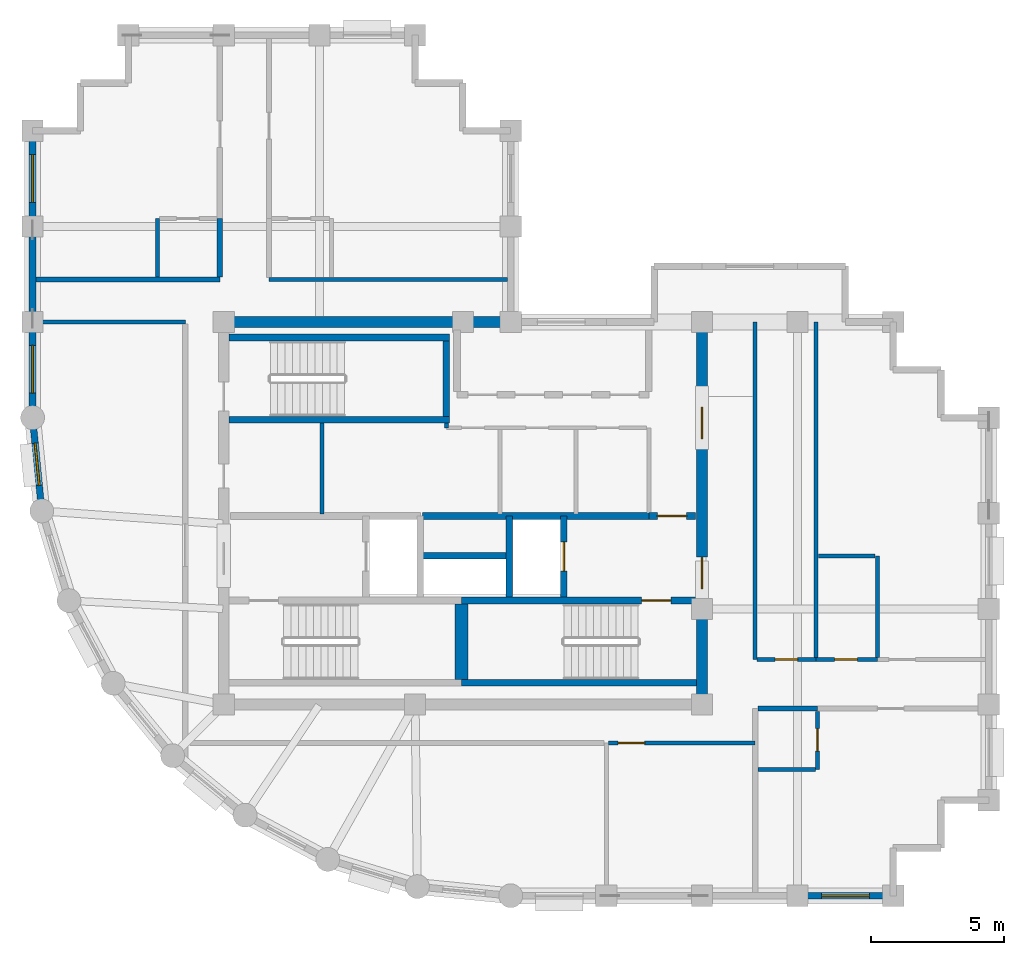
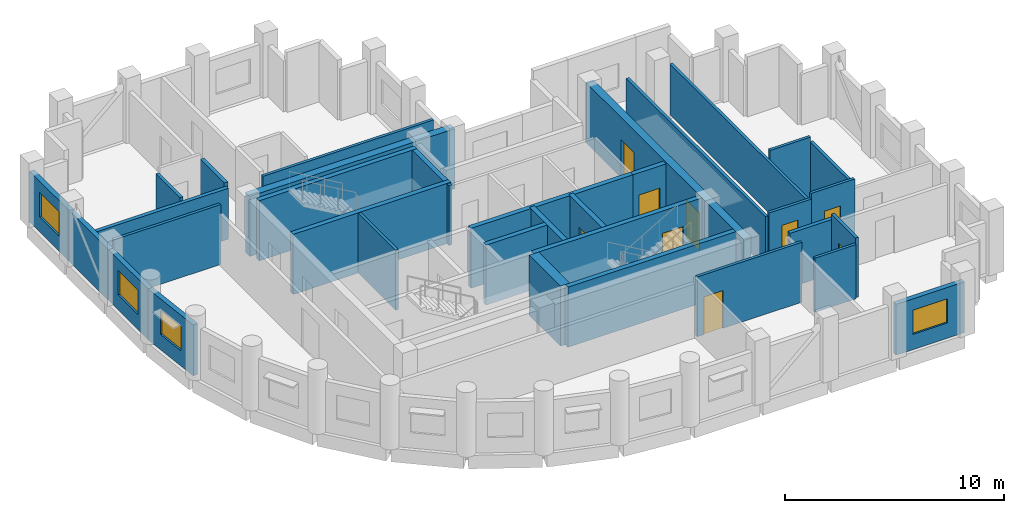
# One storey, part 3 of 7: 35 walls, 9 doors, 4 windows, 13 openings.
"""IFC4 building model written with IfcOpenShell, lengths in metres."""

from ifc_helpers import new_model, si_unit, direction, frame, frame_2d, origin, place, context, subcontext, project, spatial, rectangle, extrude, material, layer, layer_set, type_object, element, fill, save


model = new_model("IFC4")

# Units and contexts
model_context = context("Model", 3, precision=1e-05, world=origin(), true_north=direction((0.0, 1.0)))
body_context = subcontext(model_context, "Body", "Model", "MODEL_VIEW")
ifc_project = project(units=[si_unit("LENGTHUNIT", "METRE"), si_unit("AREAUNIT", "SQUARE_METRE"), si_unit("VOLUMEUNIT", "CUBIC_METRE"), si_unit("PLANEANGLEUNIT", "RADIAN"), si_unit("MASSUNIT", "GRAM", prefix="KILO")], contexts=[model_context])

# Site, building, storey
site_placement = place(None, origin())
site = spatial("IfcSite", under=ifc_project, at=site_placement, CompositionType="ELEMENT")
building_placement = place(site_placement, origin())
building = spatial("IfcBuilding", under=site, at=building_placement, Name="Solnavia Interchange Tower", CompositionType="ELEMENT")
storey_placement = place(building_placement, frame((0.0, 0.0, 281.0)))
storey = spatial("IfcBuildingStorey", under=building, at=storey_placement, Name="L71", CompositionType="ELEMENT", Elevation=281.0)

# Walls
ifc_material_1 = material(Name="Gypsum Acoustic Twin-Stud & Mineral Wool", Category="gypsum")
ifc_layer_1 = layer(ifc_material_1, 0.199951171875)
ifc_layer_set_1 = layer_set([ifc_layer_1], Name="Gypsum Acoustic Twin-Stud & Mineral Wool")
wall_type_1 = type_object("IfcWallType", Name="Wall-ApartmentParty-200", PredefinedType="PARTITIONING", material=ifc_layer_set_1)
wall_1_placement = place(storey_placement, frame((34.50390625, 10.64990234375, 0.0), z_axis=(0.0, 0.0, 1.0), x_axis=(1.0, 0.0, 0.0)))
element("IfcWall", 1, at=wall_1_placement, inside=storey, type_object=wall_type_1, Name="PTW-L71-13 Interior partition wall", PredefinedType="PARTITIONING", context=body_context, shape_type="SweptSolid", body=[
    extrude(rectangle(XDim=2.24609375, YDim=0.199951171875, at=frame_2d((1.123046875, 0.0))), origin(), (0.0, 0.0, 1.0), 3.02001953125),
])
wall_2_placement = place(storey_placement, frame((7.3291015625, 26.800048828125, 0.0), z_axis=(0.0, 0.0, 1.0), x_axis=(1.0, 0.0, 0.0)))
element("IfcWall", 2, at=wall_2_placement, inside=storey, type_object=wall_type_1, Name="PTW-L71-18 Interior partition wall", PredefinedType="PARTITIONING", context=body_context, shape_type="SweptSolid", body=[
    extrude(rectangle(XDim=6.9208984375, YDim=0.199951171875, at=frame_2d((3.46044921875, 0.0))), origin(), (0.0, 0.0, 1.0), 2.830078125),
])
wall_3_placement = place(storey_placement, frame((14.25, 26.904052734375, 0.0), z_axis=(0.0, 0.0, 1.0), x_axis=(0.0, 1.0, 0.0)))
element("IfcWall", 3, at=wall_3_placement, inside=storey, type_object=wall_type_1, Name="PTW-L71-19 Interior partition wall", PredefinedType="PARTITIONING", context=body_context, shape_type="SweptSolid", body=[
    extrude(rectangle(XDim=2.196044921875, YDim=0.199951171875, at=frame_2d((1.09814453125, 0.0))), origin(), (0.0, 0.0, 1.0), 3.030029296875),
])

# Wall, opening, window
ifc_material_2 = material(Name="Concrete C40/50", Category="concrete")
ifc_layer_2 = layer(ifc_material_2, 0.25)
ifc_layer_set_2 = layer_set([ifc_layer_2], Name="Concrete C40/50")
wall_type_2 = type_object("IfcWallType", Name="Wall-ExtSpandrel-250", PredefinedType="STANDARD", material=ifc_layer_set_2)
wall_4_placement = place(storey_placement, frame((39.60009765625, 3.60009765625, 0.0), z_axis=(0.0, 0.0, 1.0), x_axis=(-1.0, 0.0, 0.0)))
wall_4 = element("IfcWall", 4, at=wall_4_placement, inside=storey, type_object=wall_type_2, Name="EXW-L71-04 Exterior precast spandrel wall", PredefinedType="STANDARD", context=body_context, shape_type="SweptSolid", body=[
    extrude(rectangle(XDim=3.60009765625, YDim=0.25, at=frame_2d((1.800048828125, 0.0))), origin(), (0.0, 0.0, 1.0), 2.830078125),
])
opening_1_placement = place(wall_4_placement, frame((0.89990234375, 0.0, 0.85009765625)))
opening_1 = element("IfcOpeningElement", 5, at=opening_1_placement, cuts=wall_4, Name="Opening WIN-02", PredefinedType="OPENING", context=body_context, shape_type="SweptSolid", body=[
    extrude(rectangle(XDim=1.800048828125, YDim=1.35009765625, at=frame_2d((0.89990234375, 0.675048828125))), frame((0.0, 0.135009765625, 0.0), z_axis=(0.0, -1.0, 0.0), x_axis=(1.0, 0.0, 0.0)), (0.0, 0.0, 1.0), 0.27001953125),
])
ifc_material_3 = material(Name="Thermal-Break Aluminium & Low-E Glass", Category="aluminium")
window_type_1 = type_object("IfcWindowType", Name="Window-Ribbon-1800x1350", PartitioningType="SINGLE_PANEL", PredefinedType="WINDOW", material=ifc_material_3)
window_1_placement = place(opening_1_placement, origin())
window_1 = element("IfcWindow", 6, at=window_1_placement, inside=storey, type_object=window_type_1, Name="WIN-L71-04 Facade ribbon window", OverallHeight=1.35009765625, OverallWidth=1.800048828125, PartitioningType="SINGLE_PANEL", PredefinedType="WINDOW", context=body_context, shape_type="SweptSolid", body=[
    extrude(rectangle(XDim=1.800048828125, YDim=1.35009765625, at=frame_2d((0.89990234375, 0.675048828125))), frame((0.0, 0.030029296875, 0.0), z_axis=(0.0, -1.0, 0.0), x_axis=(1.0, 0.0, 0.0)), (0.0, 0.0, 1.0), 0.06005859375),
])
fill(opening_1, window_1)

wall_5_placement = place(storey_placement, frame((7.199951171875, 28.800048828125, 0.0), z_axis=(0.0, 0.0, 1.0), x_axis=(0.0, 1.0, 0.0)))
wall_5 = element("IfcWall", 7, at=wall_5_placement, inside=storey, type_object=wall_type_2, Name="EXW-L71-38 Exterior precast spandrel wall", PredefinedType="STANDARD", context=body_context, shape_type="SweptSolid", body=[
    extrude(rectangle(XDim=3.599853515625, YDim=0.25, at=frame_2d((1.7998046875, 0.0))), origin(), (0.0, 0.0, 1.0), 2.830078125),
])
opening_2_placement = place(wall_5_placement, frame((0.89990234375, 0.0, 0.85009765625)))
opening_2 = element("IfcOpeningElement", 8, at=opening_2_placement, cuts=wall_5, Name="Opening WIN-02", PredefinedType="OPENING", context=body_context, shape_type="SweptSolid", body=[
    extrude(rectangle(XDim=1.800048828125, YDim=1.35009765625, at=frame_2d((0.89990234375, 0.675048828125))), frame((0.0, 0.135009765625, 0.0), z_axis=(0.0, -1.0, 0.0), x_axis=(1.0, 0.0, 0.0)), (0.0, 0.0, 1.0), 0.27001953125),
])
window_2_placement = place(opening_2_placement, origin())
window_2 = element("IfcWindow", 9, at=window_2_placement, inside=storey, type_object=window_type_1, Name="WIN-L71-38 Facade ribbon window", OverallHeight=1.35009765625, OverallWidth=1.800048828125, PartitioningType="SINGLE_PANEL", PredefinedType="WINDOW", context=body_context, shape_type="SweptSolid", body=[
    extrude(rectangle(XDim=1.800048828125, YDim=1.35009765625, at=frame_2d((0.89990234375, 0.675048828125))), frame((0.0, 0.030029296875, 0.0), z_axis=(0.0, -1.0, 0.0), x_axis=(1.0, 0.0, 0.0)), (0.0, 0.0, 1.0), 0.06005859375),
])
fill(opening_2, window_2)

# Wall
wall_6_placement = place(storey_placement, frame((7.199951171875, 25.199951171875, 0.0), z_axis=(0.0, 0.0, 1.0), x_axis=(0.0, 1.0, 0.0)))
element("IfcWall", 10, at=wall_6_placement, inside=storey, type_object=wall_type_2, Name="EXW-L71-39 Exterior precast spandrel wall", PredefinedType="STANDARD", context=body_context, shape_type="SweptSolid", body=[
    extrude(rectangle(XDim=3.60009765625, YDim=0.25, at=frame_2d((1.800048828125, 0.0))), origin(), (0.0, 0.0, 1.0), 2.830078125),
])

# Wall, opening, window
wall_7_placement = place(storey_placement, frame((7.199951171875, 21.60009765625, 0.0), z_axis=(0.0, 0.0, 1.0), x_axis=(0.0, 1.0, 0.0)))
wall_7 = element("IfcWall", 11, at=wall_7_placement, inside=storey, type_object=wall_type_2, Name="EXW-L71-40 Exterior precast spandrel wall", PredefinedType="STANDARD", context=body_context, shape_type="SweptSolid", body=[
    extrude(rectangle(XDim=3.599853515625, YDim=0.25, at=frame_2d((1.7998046875, 0.0))), origin(), (0.0, 0.0, 1.0), 2.830078125),
])
opening_3_placement = place(wall_7_placement, frame((0.925048828125, 0.0, 0.85009765625)))
opening_3 = element("IfcOpeningElement", 12, at=opening_3_placement, cuts=wall_7, Name="Opening WIN-02", PredefinedType="OPENING", context=body_context, shape_type="SweptSolid", body=[
    extrude(rectangle(XDim=1.800048828125, YDim=1.35009765625, at=frame_2d((0.89990234375, 0.675048828125))), frame((0.0, 0.135009765625, 0.0), z_axis=(0.0, -1.0, 0.0), x_axis=(1.0, 0.0, 0.0)), (0.0, 0.0, 1.0), 0.27001953125),
])
window_3_placement = place(opening_3_placement, origin())
window_3 = element("IfcWindow", 13, at=window_3_placement, inside=storey, type_object=window_type_1, Name="WIN-L71-40 Facade ribbon window", OverallHeight=1.35009765625, OverallWidth=1.800048828125, PartitioningType="SINGLE_PANEL", PredefinedType="WINDOW", context=body_context, shape_type="SweptSolid", body=[
    extrude(rectangle(XDim=1.800048828125, YDim=1.35009765625, at=frame_2d((0.89990234375, 0.675048828125))), frame((0.0, 0.030029296875, 0.0), z_axis=(0.0, -1.0, 0.0), x_axis=(1.0, 0.0, 0.0)), (0.0, 0.0, 1.0), 0.06005859375),
])
fill(opening_3, window_3)

wall_8_placement = place(storey_placement, frame((7.5458984375, 18.087890625, 0.0), z_axis=(0.0, 0.0, 1.0), x_axis=(-0.09802417461, 0.995184033831, 0.0)))
wall_8 = element("IfcWall", 14, at=wall_8_placement, inside=storey, type_object=wall_type_2, Name="EXW-L71-41 Exterior precast spandrel wall", PredefinedType="STANDARD", context=body_context, shape_type="SweptSolid", body=[
    extrude(rectangle(XDim=3.529296875, YDim=0.25, at=frame_2d((1.7646484375, 0.0))), origin(), (0.0, 0.0, 1.0), 2.830078125),
])
opening_4_placement = place(wall_8_placement, frame((0.965087890625, 0.0, 0.85009765625)))
opening_4 = element("IfcOpeningElement", 15, at=opening_4_placement, cuts=wall_8, Name="Opening WIN-04", PredefinedType="OPENING", context=body_context, shape_type="SweptSolid", body=[
    extrude(rectangle(XDim=1.60009765625, YDim=1.35009765625, at=frame_2d((0.800048828125, 0.675048828125))), frame((0.0, 0.135009765625, 0.0), z_axis=(0.0, -1.0, 0.0), x_axis=(1.0, 0.0, 0.0)), (0.0, 0.0, 1.0), 0.27001953125),
])
window_type_2 = type_object("IfcWindowType", Name="Window-Drum-1600x1350", PartitioningType="SINGLE_PANEL", PredefinedType="WINDOW", material=ifc_material_3)
window_4_placement = place(opening_4_placement, origin())
window_4 = element("IfcWindow", 16, at=window_4_placement, inside=storey, type_object=window_type_2, Name="WIN-L71-41 Facade ribbon window", OverallHeight=1.35009765625, OverallWidth=1.60009765625, PartitioningType="SINGLE_PANEL", PredefinedType="WINDOW", context=body_context, shape_type="SweptSolid", body=[
    extrude(rectangle(XDim=1.60009765625, YDim=1.35009765625, at=frame_2d((0.800048828125, 0.675048828125))), frame((0.0, 0.030029296875, 0.0), z_axis=(0.0, -1.0, 0.0), x_axis=(1.0, 0.0, 0.0)), (0.0, 0.0, 1.0), 0.06005859375),
])
fill(opening_4, window_4)

# Walls
ifc_material_4 = material(Name="Gypsum Plasterboard & Steel Stud", Category="steel")
ifc_layer_3 = layer(ifc_material_4, 0.14990234375)
ifc_layer_set_3 = layer_set([ifc_layer_3], Name="Gypsum Plasterboard & Steel Stud")
wall_type_3 = type_object("IfcWallType", Name="Wall-Partition-150", PredefinedType="PARTITIONING", material=ifc_layer_set_3)
wall_9_placement = place(storey_placement, frame((22.77490234375, 21.219970703125, 0.0), z_axis=(0.0, 0.0, 1.0), x_axis=(0.0, 1.0, 0.0)))
element("IfcWall", 17, at=wall_9_placement, inside=storey, type_object=wall_type_3, Name="CSW-L71-ST-TIE Core shaft wall", PredefinedType="PARTITIONING", context=body_context, shape_type="SweptSolid", body=[
    extrude(rectangle(XDim=0.175048828125, YDim=0.14990234375, at=frame_2d((0.08740234375, 0.0))), origin(), (0.0, 0.0, 1.0), 3.3349609375),
])
wall_10_placement = place(storey_placement, frame((18.10009765625, 17.97998046875, 0.0), z_axis=(0.0, 0.0, 1.0), x_axis=(0.0, 1.0, 0.0)))
element("IfcWall", 18, at=wall_10_placement, inside=storey, type_object=wall_type_3, Name="CSW-L71-M1 Core shaft wall", PredefinedType="PARTITIONING", context=body_context, shape_type="SweptSolid", body=[
    extrude(rectangle(XDim=3.419921875, YDim=0.14990234375, at=frame_2d((1.7099609375, 0.0))), origin(), (0.0, 0.0, 1.0), 3.3349609375),
])
wall_11_placement = place(storey_placement, frame((7.3291015625, 25.199951171875, 0.0), z_axis=(0.0, 0.0, 1.0), x_axis=(1.0, 0.0, 0.0)))
element("IfcWall", 19, at=wall_11_placement, inside=storey, type_object=wall_type_3, Name="PTW-L71-07 Interior partition wall", PredefinedType="PARTITIONING", context=body_context, shape_type="SweptSolid", body=[
    extrude(rectangle(XDim=5.620849609375, YDim=0.14990234375, at=frame_2d((2.810546875, 0.0))), origin(), (0.0, 0.0, 1.0), 3.3349609375),
])

# Wall, opening, door
wall_12_placement = place(storey_placement, frame((28.87890625, 9.35009765625, 0.0), z_axis=(0.0, 0.0, 1.0), x_axis=(1.0, 0.0, 0.0)))
wall_12 = element("IfcWall", 20, at=wall_12_placement, inside=storey, type_object=wall_type_3, Name="PTW-L71-11 Interior partition wall", PredefinedType="PARTITIONING", context=body_context, shape_type="SweptSolid", body=[
    extrude(rectangle(XDim=5.52099609375, YDim=0.14990234375, at=frame_2d((2.760498046875, 0.0))), origin(), (0.0, 0.0, 1.0), 3.3349609375),
])
opening_5_placement = place(wall_12_placement, frame((0.360107421875, 0.0, 0.0)))
opening_5 = element("IfcOpeningElement", 21, at=opening_5_placement, cuts=wall_12, Name="Opening DR-07", PredefinedType="OPENING", context=body_context, shape_type="SweptSolid", body=[
    extrude(rectangle(XDim=1.0, YDim=2.10009765625, at=frame_2d((0.5, 1.050048828125))), frame((0.0, 0.0849609375, 0.0), z_axis=(0.0, -1.0, 0.0), x_axis=(1.0, 0.0, 0.0)), (0.0, 0.0, 1.0), 0.169921875),
])
ifc_material_5 = material(Name="Timber & Acoustic Glazed Office Door", Category="wood")
door_type_1 = type_object("IfcDoorType", Name="Door-Office-1000x2100", OperationType="SINGLE_SWING_RIGHT", PredefinedType="DOOR", material=ifc_material_5)
door_1_placement = place(opening_5_placement, origin())
door_1 = element("IfcDoor", 22, at=door_1_placement, inside=storey, type_object=door_type_1, Name="DR-L71-04 Interior room door", OperationType="SINGLE_SWING_LEFT", OverallHeight=2.10009765625, OverallWidth=1.0, PredefinedType="DOOR", context=body_context, shape_type="SweptSolid", body=[
    extrude(rectangle(XDim=1.0, YDim=2.10009765625, at=frame_2d((0.5, 1.050048828125))), frame((0.0, 0.02490234375, 0.0), z_axis=(0.0, -1.0, 0.0), x_axis=(1.0, 0.0, 0.0)), (0.0, 0.0, 1.0), 0.050048828125),
])
fill(opening_5, door_1)

# Walls
wall_13_placement = place(storey_placement, frame((16.10009765625, 26.800048828125, 0.0), z_axis=(0.0, 0.0, 1.0), x_axis=(1.0, 0.0, 0.0)))
element("IfcWall", 23, at=wall_13_placement, inside=storey, type_object=wall_type_3, Name="PTW-L71-23 Interior partition wall", PredefinedType="PARTITIONING", context=body_context, shape_type="SweptSolid", body=[
    extrude(rectangle(XDim=8.970947265625, YDim=0.14990234375, at=frame_2d((4.4853515625, 0.0))), origin(), (0.0, 0.0, 1.0), 2.830078125),
])
ifc_layer_4 = layer(ifc_material_2, 0.25)
ifc_layer_set_4 = layer_set([ifc_layer_4], Name="Concrete C40/50")
wall_type_4 = type_object("IfcWallType", Name="Wall-ShaftCore-250", PredefinedType="SHEAR", material=ifc_layer_set_4)
wall_14_placement = place(storey_placement, frame((23.35009765625, 11.625, 0.0), z_axis=(0.0, 0.0, 1.0), x_axis=(1.0, 0.0, 0.0)))
element("IfcWall", 24, at=wall_14_placement, inside=storey, type_object=wall_type_4, Name="SHW-L71-ST2S Core shear wall", PredefinedType="SHEAR", context=body_context, shape_type="SweptSolid", body=[
    extrude(rectangle(XDim=8.849853515625, YDim=0.25, at=frame_2d((4.4248046875, 0.0))), origin(), (0.0, 0.0, 1.0), 3.35009765625),
])

# Wall, opening, door
wall_15_placement = place(storey_placement, frame((23.35009765625, 14.715087890625, 0.0), z_axis=(0.0, 0.0, 1.0), x_axis=(1.0, 0.0, 0.0)))
wall_15 = element("IfcWall", 25, at=wall_15_placement, inside=storey, type_object=wall_type_4, Name="SHW-L71-ST2N Core shear wall", PredefinedType="SHEAR", context=body_context, shape_type="SweptSolid", body=[
    extrude(rectangle(XDim=8.849853515625, YDim=0.25, at=frame_2d((4.4248046875, 0.0))), origin(), (0.0, 0.0, 1.0), 3.35009765625),
])
opening_6_placement = place(wall_15_placement, frame((6.77490234375, 0.0, 0.0)))
opening_6 = element("IfcOpeningElement", 26, at=opening_6_placement, cuts=wall_15, Name="Opening DR-01", PredefinedType="OPENING", context=body_context, shape_type="SweptSolid", body=[
    extrude(rectangle(XDim=1.10009765625, YDim=2.10009765625, at=frame_2d((0.550048828125, 1.050048828125))), frame((0.0, 0.135009765625, 0.0), z_axis=(0.0, -1.0, 0.0), x_axis=(1.0, 0.0, 0.0)), (0.0, 0.0, 1.0), 0.27001953125),
])
ifc_material_6 = material(Name="Steel Fire-Rated Leaf & Frame", Category="steel")
door_type_2 = type_object("IfcDoorType", Name="Door-StairFire-1100x2100", OperationType="SINGLE_SWING_LEFT", PredefinedType="DOOR", material=ifc_material_6)
door_2_placement = place(opening_6_placement, origin())
door_2 = element("IfcDoor", 27, at=door_2_placement, inside=storey, type_object=door_type_2, Name="DR-L71-ST2 Core fire door", OperationType="SINGLE_SWING_LEFT", OverallHeight=2.10009765625, OverallWidth=1.10009765625, PredefinedType="DOOR", context=body_context, shape_type="SweptSolid", body=[
    extrude(rectangle(XDim=1.10009765625, YDim=2.10009765625, at=frame_2d((0.550048828125, 1.050048828125))), frame((0.0, 0.02490234375, 0.0), z_axis=(0.0, -1.0, 0.0), x_axis=(1.0, 0.0, 0.0)), (0.0, 0.0, 1.0), 0.050048828125),
])
fill(opening_6, door_2)

# Walls
for number, where, z_axis, x_axis, name in (
    (28, (14.60009765625, 21.52490234375, 0.0), (0.0, 0.0, 1.0), (1.0, 0.0, 0.0), "SHW-L71-ST3S Core shear wall"),
    (29, (14.60009765625, 24.614990234375, 0.0), (0.0, 0.0, 1.0), (1.0, 0.0, 0.0), "SHW-L71-ST3N Core shear wall"),
):
    element("IfcWall", number, at=place(storey_placement, frame(where, z_axis=z_axis, x_axis=x_axis)), inside=storey, type_object=wall_type_4, Name=name, PredefinedType="SHEAR", context=body_context, shape_type="SweptSolid", body=[
        extrude(rectangle(XDim=8.2998046875, YDim=0.25, at=frame_2d((4.14990234375, 0.0))), origin(), (0.0, 0.0, 1.0), 3.35009765625),
    ])
wall_16_placement = place(storey_placement, frame((22.77490234375, 21.64990234375, 0.0), z_axis=(0.0, 0.0, 1.0), x_axis=(0.0, 1.0, 0.0)))
element("IfcWall", 30, at=wall_16_placement, inside=storey, type_object=wall_type_4, Name="SHW-L71-ST3E Core shear wall", PredefinedType="SHEAR", context=body_context, shape_type="SweptSolid", body=[
    extrude(rectangle(XDim=2.840087890625, YDim=0.25, at=frame_2d((1.419921875, 0.0))), origin(), (0.0, 0.0, 1.0), 3.35009765625),
])
ifc_layer_5 = layer(ifc_material_2, 0.25)
ifc_layer_set_5 = layer_set([ifc_layer_5], Name="Concrete C40/50")
wall_type_5 = type_object("IfcWallType", Name="Wall-ShaftPart-250", PredefinedType="PARTITIONING", material=ifc_layer_set_5)
wall_17_placement = place(storey_placement, frame((21.8798828125, 17.89990234375, 0.0), z_axis=(0.0, 0.0, 1.0), x_axis=(1.0, 0.0, 0.0)))
element("IfcWall", 31, at=wall_17_placement, inside=storey, type_object=wall_type_5, Name="SHW-L71-FFLE-N1 Core shaft wall", PredefinedType="PARTITIONING", context=body_context, shape_type="SweptSolid", body=[
    extrude(rectangle(XDim=8.52001953125, YDim=0.25, at=frame_2d((4.260009765625, 0.0))), origin(), (0.0, 0.0, 1.0), 3.3349609375),
])

# Wall, opening, door
wall_18_placement = place(storey_placement, frame((30.39990234375, 17.89990234375, 0.0), z_axis=(0.0, 0.0, 1.0), x_axis=(1.0, 0.0, 0.0)))
wall_18 = element("IfcWall", 32, at=wall_18_placement, inside=storey, type_object=wall_type_5, Name="SHW-L71-FFLE-N2 Core shaft wall", PredefinedType="PARTITIONING", context=body_context, shape_type="SweptSolid", body=[
    extrude(rectangle(XDim=1.75, YDim=0.25, at=frame_2d((0.875, 0.0))), origin(), (0.0, 0.0, 1.0), 3.3349609375),
])
opening_7_placement = place(wall_18_placement, frame((0.320068359375, 0.0, 0.0)))
opening_7 = element("IfcOpeningElement", 33, at=opening_7_placement, cuts=wall_18, Name="Opening DR-01", PredefinedType="OPENING", context=body_context, shape_type="SweptSolid", body=[
    extrude(rectangle(XDim=1.10009765625, YDim=2.10009765625, at=frame_2d((0.550048828125, 1.050048828125))), frame((0.0, 0.135009765625, 0.0), z_axis=(0.0, -1.0, 0.0), x_axis=(1.0, 0.0, 0.0)), (0.0, 0.0, 1.0), 0.27001953125),
])
door_3_placement = place(opening_7_placement, origin())
door_3 = element("IfcDoor", 34, at=door_3_placement, inside=storey, type_object=door_type_2, Name="DR-L71-LLC Core fire door", OperationType="SINGLE_SWING_LEFT", OverallHeight=2.10009765625, OverallWidth=1.10009765625, PredefinedType="DOOR", context=body_context, shape_type="SweptSolid", body=[
    extrude(rectangle(XDim=1.10009765625, YDim=2.10009765625, at=frame_2d((0.550048828125, 1.050048828125))), frame((0.0, 0.02490234375, 0.0), z_axis=(0.0, -1.0, 0.0), x_axis=(1.0, 0.0, 0.0)), (0.0, 0.0, 1.0), 0.050048828125),
])
fill(opening_7, door_3)

# Wall
wall_19_placement = place(storey_placement, frame((25.14990234375, 14.840087890625, 0.0), z_axis=(0.0, 0.0, 1.0), x_axis=(0.0, 1.0, 0.0)))
element("IfcWall", 35, at=wall_19_placement, inside=storey, type_object=wall_type_5, Name="SHW-L71-FFL2-W Core shaft wall", PredefinedType="PARTITIONING", context=body_context, shape_type="SweptSolid", body=[
    extrude(rectangle(XDim=3.059814453125, YDim=0.25, at=frame_2d((1.52978515625, 0.0))), origin(), (0.0, 0.0, 1.0), 3.3349609375),
])

# Wall, opening, door
wall_20_placement = place(storey_placement, frame((27.199951171875, 14.840087890625, 0.0), z_axis=(0.0, 0.0, 1.0), x_axis=(0.0, 1.0, 0.0)))
wall_20 = element("IfcWall", 36, at=wall_20_placement, inside=storey, type_object=wall_type_5, Name="SHW-L71-FFL2-E Core shaft wall", PredefinedType="PARTITIONING", context=body_context, shape_type="SweptSolid", body=[
    extrude(rectangle(XDim=3.059814453125, YDim=0.25, at=frame_2d((1.52978515625, 0.0))), origin(), (0.0, 0.0, 1.0), 3.3349609375),
])
opening_8_placement = place(wall_20_placement, frame((0.97998046875, 0.0, 0.0)))
opening_8 = element("IfcOpeningElement", 37, at=opening_8_placement, cuts=wall_20, Name="Opening LD-01", PredefinedType="OPENING", context=body_context, shape_type="SweptSolid", body=[
    extrude(rectangle(XDim=1.10009765625, YDim=2.10009765625, at=frame_2d((0.550048828125, 1.050048828125))), frame((0.0, 0.135009765625, 0.0), z_axis=(0.0, -1.0, 0.0), x_axis=(1.0, 0.0, 0.0)), (0.0, 0.0, 1.0), 0.27001953125),
])
ifc_material_7 = material(Name="Brushed Stainless Steel Sliding Door", Category="steel")
door_type_3 = type_object("IfcDoorType", Name="Door-LiftLanding-1100x2100", OperationType="SLIDING_TO_LEFT", PredefinedType="DOOR", material=ifc_material_7)
door_4_placement = place(opening_8_placement, origin())
door_4 = element("IfcDoor", 38, at=door_4_placement, inside=storey, type_object=door_type_3, Name="LD-L71-FFL2 Lift landing sliding door", OperationType="SLIDING_TO_LEFT", OverallHeight=2.10009765625, OverallWidth=1.10009765625, PredefinedType="DOOR", context=body_context, shape_type="SweptSolid", body=[
    extrude(rectangle(XDim=1.10009765625, YDim=2.10009765625, at=frame_2d((0.550048828125, 1.050048828125))), frame((0.0, 0.02490234375, 0.0), z_axis=(0.0, -1.0, 0.0), x_axis=(1.0, 0.0, 0.0)), (0.0, 0.0, 1.0), 0.050048828125),
])
fill(opening_8, door_4)

# Walls
wall_21_placement = place(storey_placement, frame((21.800048828125, 16.39990234375, 0.0), z_axis=(0.0, 0.0, 1.0), x_axis=(1.0, 0.0, 0.0)))
element("IfcWall", 39, at=wall_21_placement, inside=storey, type_object=wall_type_5, Name="SHW-L71-MEP-N Core shaft wall", PredefinedType="PARTITIONING", context=body_context, shape_type="SweptSolid", body=[
    extrude(rectangle(XDim=3.349853515625, YDim=0.25, at=frame_2d((1.6748046875, 0.0))), origin(), (0.0, 0.0, 1.0), 3.3349609375),
])
ifc_material_8 = material(Name="Concrete C50/60", Category="concrete")
ifc_layer_6 = layer(ifc_material_8, 0.39990234375)
ifc_layer_set_6 = layer_set([ifc_layer_6], Name="Concrete C50/60")
wall_type_6 = type_object("IfcWallType", Name="Wall-ShearCore-400", PredefinedType="SHEAR", material=ifc_layer_set_6)
wall_22_placement = place(storey_placement, frame((14.39990234375, 25.199951171875, 0.0), z_axis=(0.0, 0.0, 1.0), x_axis=(1.0, 0.0, 0.0)))
element("IfcWall", 40, at=wall_22_placement, inside=storey, type_object=wall_type_6, Name="CRW-L71-N Core shear wall", PredefinedType="SHEAR", context=body_context, shape_type="SweptSolid", body=[
    extrude(rectangle(XDim=10.800048828125, YDim=0.39990234375, at=frame_2d((5.39990234375, 0.0))), origin(), (0.0, 0.0, 1.0), 3.35009765625),
])

# Wall, openings, doors
wall_23_placement = place(storey_placement, frame((32.39990234375, 10.800048828125, 0.0), z_axis=(0.0, 0.0, 1.0), x_axis=(0.0, 1.0, 0.0)))
wall_23 = element("IfcWall", 41, at=wall_23_placement, inside=storey, type_object=wall_type_6, Name="CRW-L71-E Core shear wall", PredefinedType="SHEAR", context=body_context, shape_type="SweptSolid", body=[
    extrude(rectangle(XDim=14.39990234375, YDim=0.39990234375, at=frame_2d((7.199951171875, 0.0))), origin(), (0.0, 0.0, 1.0), 3.35009765625),
])
opening_9_placement = place(wall_23_placement, frame((4.35009765625, 0.0, 0.0)))
opening_9 = element("IfcOpeningElement", 42, at=opening_9_placement, cuts=wall_23, Name="Opening DR-02", PredefinedType="OPENING", context=body_context, shape_type="SweptSolid", body=[
    extrude(rectangle(XDim=1.199951171875, YDim=2.10009765625, at=frame_2d((0.60009765625, 1.050048828125))), frame((0.0, 0.2099609375, 0.0), z_axis=(0.0, -1.0, 0.0), x_axis=(1.0, 0.0, 0.0)), (0.0, 0.0, 1.0), 0.419921875),
])
opening_10_placement = place(wall_23_placement, frame((10.0, 0.0, 0.0)))
opening_10 = element("IfcOpeningElement", 43, at=opening_10_placement, cuts=wall_23, Name="Opening DR-02", PredefinedType="OPENING", context=body_context, shape_type="SweptSolid", body=[
    extrude(rectangle(XDim=1.199951171875, YDim=2.10009765625, at=frame_2d((0.60009765625, 1.050048828125))), frame((0.0, 0.2099609375, 0.0), z_axis=(0.0, -1.0, 0.0), x_axis=(1.0, 0.0, 0.0)), (0.0, 0.0, 1.0), 0.419921875),
])
ifc_material_9 = material(Name="Steel Fire-Rated Vision-Panel Door", Category="steel")
door_type_4 = type_object("IfcDoorType", Name="Door-LobbyFire-1200x2100", OperationType="SINGLE_SWING_RIGHT", PredefinedType="DOOR", material=ifc_material_9)
door_5_placement = place(opening_9_placement, origin())
door_5 = element("IfcDoor", 44, at=door_5_placement, inside=storey, type_object=door_type_4, Name="DR-L71-FFL2E Core fire door", OperationType="SINGLE_SWING_LEFT", OverallHeight=2.10009765625, OverallWidth=1.199951171875, PredefinedType="DOOR", context=body_context, shape_type="SweptSolid", body=[
    extrude(rectangle(XDim=1.199951171875, YDim=2.10009765625, at=frame_2d((0.60009765625, 1.050048828125))), frame((0.0, 0.02490234375, 0.0), z_axis=(0.0, -1.0, 0.0), x_axis=(1.0, 0.0, 0.0)), (0.0, 0.0, 1.0), 0.050048828125),
])
fill(opening_9, door_5)
door_6_placement = place(opening_10_placement, origin())
door_6 = element("IfcDoor", 45, at=door_6_placement, inside=storey, type_object=door_type_4, Name="DR-L71-LLE Core fire door", OperationType="SINGLE_SWING_RIGHT", OverallHeight=2.10009765625, OverallWidth=1.199951171875, PredefinedType="DOOR", context=body_context, shape_type="SweptSolid", body=[
    extrude(rectangle(XDim=1.199951171875, YDim=2.10009765625, at=frame_2d((0.60009765625, 1.050048828125))), frame((0.0, 0.02490234375, 0.0), z_axis=(0.0, -1.0, 0.0), x_axis=(1.0, 0.0, 0.0)), (0.0, 0.0, 1.0), 0.050048828125),
])
fill(opening_10, door_6)

# Walls
ifc_material_10 = material(Name="Concrete C60/75", Category="concrete")
ifc_layer_7 = layer(ifc_material_10, 0.5)
ifc_layer_set_7 = layer_set([ifc_layer_7], Name="Concrete C60/75")
wall_type_7 = type_object("IfcWallType", Name="Wall-ShearCore-500", PredefinedType="SHEAR", material=ifc_layer_set_7)
wall_24_placement = place(storey_placement, frame((23.35009765625, 11.75, 0.0), z_axis=(0.0, 0.0, 1.0), x_axis=(0.0, 1.0, 0.0)))
element("IfcWall", 46, at=wall_24_placement, inside=storey, type_object=wall_type_7, Name="SHW-L71-ST12M Core shear wall", PredefinedType="SHEAR", context=body_context, shape_type="SweptSolid", body=[
    extrude(rectangle(XDim=2.840087890625, YDim=0.5, at=frame_2d((1.419921875, 0.0))), origin(), (0.0, 0.0, 1.0), 3.35009765625),
])
ifc_material_11 = material(Name="Moisture-Resistant Gypsum & Steel Stud", Category="steel")
ifc_layer_8 = layer(ifc_material_11, 0.14990234375)
ifc_layer_set_8 = layer_set([ifc_layer_8], Name="Moisture-Resistant Gypsum & Steel Stud")
wall_type_8 = type_object("IfcWallType", Name="Wall-WetRoom-150", PredefinedType="PARTITIONING", material=ifc_layer_set_8)
wall_25_placement = place(storey_placement, frame((34.39990234375, 12.5, 0.0), z_axis=(0.0, 0.0, 1.0), x_axis=(0.0, 1.0, 0.0)))
element("IfcWall", 47, at=wall_25_placement, inside=storey, type_object=wall_type_8, Name="PTW-L71-01 Interior partition wall", PredefinedType="PARTITIONING", context=body_context, shape_type="SweptSolid", body=[
    extrude(rectangle(XDim=12.699951171875, YDim=0.14990234375, at=frame_2d((6.35009765625, 0.0))), origin(), (0.0, 0.0, 1.0), 2.830078125),
])

# Wall, opening, door
wall_26_placement = place(storey_placement, frame((34.47900390625, 12.5, 0.0), z_axis=(0.0, 0.0, 1.0), x_axis=(1.0, 0.0, 0.0)))
wall_26 = element("IfcWall", 48, at=wall_26_placement, inside=storey, type_object=wall_type_8, Name="PTW-L71-02 Interior partition wall", PredefinedType="PARTITIONING", context=body_context, shape_type="SweptSolid", body=[
    extrude(rectangle(XDim=2.220947265625, YDim=0.14990234375, at=frame_2d((1.1103515625, 0.0))), origin(), (0.0, 0.0, 1.0), 3.02001953125),
])
opening_11_placement = place(wall_26_placement, frame((0.674072265625, 0.0, 0.0)))
opening_11 = element("IfcOpeningElement", 49, at=opening_11_placement, cuts=wall_26, Name="Opening DR-10", PredefinedType="OPENING", context=body_context, shape_type="SweptSolid", body=[
    extrude(rectangle(XDim=0.85009765625, YDim=2.10009765625, at=frame_2d((0.425048828125, 1.050048828125))), frame((0.0, 0.0849609375, 0.0), z_axis=(0.0, -1.0, 0.0), x_axis=(1.0, 0.0, 0.0)), (0.0, 0.0, 1.0), 0.169921875),
])
ifc_material_12 = material(Name="Moisture-Resistant Timber Door", Category="wood")
door_type_5 = type_object("IfcDoorType", Name="Door-Bathroom-850x2100", OperationType="SINGLE_SWING_RIGHT", PredefinedType="DOOR", material=ifc_material_12)
door_7_placement = place(opening_11_placement, origin())
door_7 = element("IfcDoor", 50, at=door_7_placement, inside=storey, type_object=door_type_5, Name="DR-L71-01 Interior room door", OperationType="SINGLE_SWING_LEFT", OverallHeight=2.10009765625, OverallWidth=0.85009765625, PredefinedType="DOOR", context=body_context, shape_type="SweptSolid", body=[
    extrude(rectangle(XDim=0.85009765625, YDim=2.10009765625, at=frame_2d((0.425048828125, 1.050048828125))), frame((0.0, 0.02490234375, 0.0), z_axis=(0.0, -1.0, 0.0), x_axis=(1.0, 0.0, 0.0)), (0.0, 0.0, 1.0), 0.050048828125),
])
fill(opening_11, door_7)

# Wall
wall_27_placement = place(storey_placement, frame((36.699951171875, 12.5791015625, 0.0), z_axis=(0.0, 0.0, 1.0), x_axis=(0.0, 1.0, 0.0)))
element("IfcWall", 51, at=wall_27_placement, inside=storey, type_object=wall_type_8, Name="PTW-L71-03 Interior partition wall", PredefinedType="PARTITIONING", context=body_context, shape_type="SweptSolid", body=[
    extrude(rectangle(XDim=12.620849609375, YDim=0.14990234375, at=frame_2d((6.310546875, 0.0))), origin(), (0.0, 0.0, 1.0), 2.830078125),
])

# Wall, opening, door
wall_28_placement = place(storey_placement, frame((36.699951171875, 12.5, 0.0), z_axis=(0.0, 0.0, 1.0), x_axis=(1.0, 0.0, 0.0)))
wall_28 = element("IfcWall", 52, at=wall_28_placement, inside=storey, type_object=wall_type_8, Name="PTW-L71-04 Interior partition wall", PredefinedType="PARTITIONING", context=body_context, shape_type="SweptSolid", body=[
    extrude(rectangle(XDim=2.300048828125, YDim=0.14990234375, at=frame_2d((1.14990234375, 0.0))), origin(), (0.0, 0.0, 1.0), 3.3349609375),
])
opening_12_placement = place(wall_28_placement, frame((0.697021484375, 0.0, 0.0)))
opening_12 = element("IfcOpeningElement", 53, at=opening_12_placement, cuts=wall_28, Name="Opening DR-10", PredefinedType="OPENING", context=body_context, shape_type="SweptSolid", body=[
    extrude(rectangle(XDim=0.85009765625, YDim=2.10009765625, at=frame_2d((0.425048828125, 1.050048828125))), frame((0.0, 0.0849609375, 0.0), z_axis=(0.0, -1.0, 0.0), x_axis=(1.0, 0.0, 0.0)), (0.0, 0.0, 1.0), 0.169921875),
])
door_8_placement = place(opening_12_placement, origin())
door_8 = element("IfcDoor", 54, at=door_8_placement, inside=storey, type_object=door_type_5, Name="DR-L71-02 Interior room door", OperationType="SINGLE_SWING_RIGHT", OverallHeight=2.10009765625, OverallWidth=0.85009765625, PredefinedType="DOOR", context=body_context, shape_type="SweptSolid", body=[
    extrude(rectangle(XDim=0.85009765625, YDim=2.10009765625, at=frame_2d((0.425048828125, 1.050048828125))), frame((0.0, 0.02490234375, 0.0), z_axis=(0.0, -1.0, 0.0), x_axis=(1.0, 0.0, 0.0)), (0.0, 0.0, 1.0), 0.050048828125),
])
fill(opening_12, door_8)

# Walls
wall_29_placement = place(storey_placement, frame((39.0, 12.5791015625, 0.0), z_axis=(0.0, 0.0, 1.0), x_axis=(0.0, 1.0, 0.0)))
element("IfcWall", 55, at=wall_29_placement, inside=storey, type_object=wall_type_8, Name="PTW-L71-05 Interior partition wall", PredefinedType="PARTITIONING", context=body_context, shape_type="SweptSolid", body=[
    extrude(rectangle(XDim=3.82080078125, YDim=0.14990234375, at=frame_2d((1.910400390625, 0.0))), origin(), (0.0, 0.0, 1.0), 3.030029296875),
])
wall_30_placement = place(storey_placement, frame((36.779052734375, 16.39990234375, 0.0), z_axis=(0.0, 0.0, 1.0), x_axis=(1.0, 0.0, 0.0)))
element("IfcWall", 56, at=wall_30_placement, inside=storey, type_object=wall_type_8, Name="PTW-L71-06 Interior partition wall", PredefinedType="PARTITIONING", context=body_context, shape_type="SweptSolid", body=[
    extrude(rectangle(XDim=2.141845703125, YDim=0.14990234375, at=frame_2d((1.07080078125, 0.0))), origin(), (0.0, 0.0, 1.0), 3.3349609375),
])

# Wall, opening, door
wall_31_placement = place(storey_placement, frame((36.75, 8.35009765625, 0.0), z_axis=(0.0, 0.0, 1.0), x_axis=(0.0, 1.0, 0.0)))
wall_31 = element("IfcWall", 57, at=wall_31_placement, inside=storey, type_object=wall_type_8, Name="PTW-L71-15 Interior partition wall", PredefinedType="PARTITIONING", context=body_context, shape_type="SweptSolid", body=[
    extrude(rectangle(XDim=2.19580078125, YDim=0.14990234375, at=frame_2d((1.097900390625, 0.0))), origin(), (0.0, 0.0, 1.0), 3.3349609375),
])
opening_13_placement = place(wall_31_placement, frame((0.697021484375, 0.0, 0.0)))
opening_13 = element("IfcOpeningElement", 58, at=opening_13_placement, cuts=wall_31, Name="Opening DR-10", PredefinedType="OPENING", context=body_context, shape_type="SweptSolid", body=[
    extrude(rectangle(XDim=0.85009765625, YDim=2.10009765625, at=frame_2d((0.425048828125, 1.050048828125))), frame((0.0, 0.0849609375, 0.0), z_axis=(0.0, -1.0, 0.0), x_axis=(1.0, 0.0, 0.0)), (0.0, 0.0, 1.0), 0.169921875),
])
door_9_placement = place(opening_13_placement, origin())
door_9 = element("IfcDoor", 59, at=door_9_placement, inside=storey, type_object=door_type_5, Name="DR-L71-06 Interior room door", OperationType="SINGLE_SWING_RIGHT", OverallHeight=2.10009765625, OverallWidth=0.85009765625, PredefinedType="DOOR", context=body_context, shape_type="SweptSolid", body=[
    extrude(rectangle(XDim=0.85009765625, YDim=2.10009765625, at=frame_2d((0.425048828125, 1.050048828125))), frame((0.0, 0.02490234375, 0.0), z_axis=(0.0, -1.0, 0.0), x_axis=(1.0, 0.0, 0.0)), (0.0, 0.0, 1.0), 0.050048828125),
])
fill(opening_13, door_9)

# Walls
wall_32_placement = place(storey_placement, frame((34.50390625, 8.35009765625, 0.0), z_axis=(0.0, 0.0, 1.0), x_axis=(1.0, 0.0, 0.0)))
element("IfcWall", 60, at=wall_32_placement, inside=storey, type_object=wall_type_8, Name="PTW-L71-16 Interior partition wall", PredefinedType="PARTITIONING", context=body_context, shape_type="SweptSolid", body=[
    extrude(rectangle(XDim=2.1669921875, YDim=0.14990234375, at=frame_2d((1.08349609375, 0.0))), origin(), (0.0, 0.0, 1.0), 3.02001953125),
])
wall_33_placement = place(storey_placement, frame((11.89990234375, 26.904052734375, 0.0), z_axis=(0.0, 0.0, 1.0), x_axis=(0.0, 1.0, 0.0)))
element("IfcWall", 61, at=wall_33_placement, inside=storey, type_object=wall_type_8, Name="PTW-L71-21 Interior partition wall", PredefinedType="PARTITIONING", context=body_context, shape_type="SweptSolid", body=[
    extrude(rectangle(XDim=2.196044921875, YDim=0.14990234375, at=frame_2d((1.09814453125, 0.0))), origin(), (0.0, 0.0, 1.0), 3.030029296875),
])

save(model, "model.ifc")
